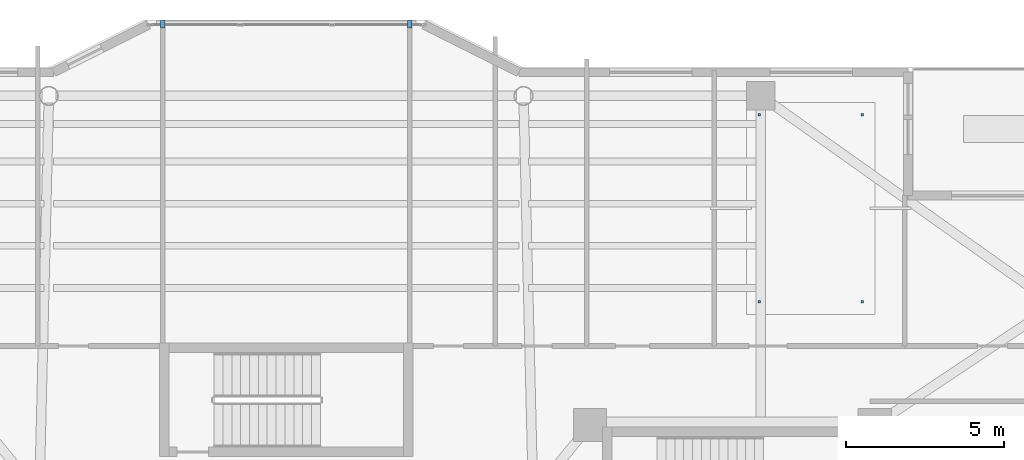
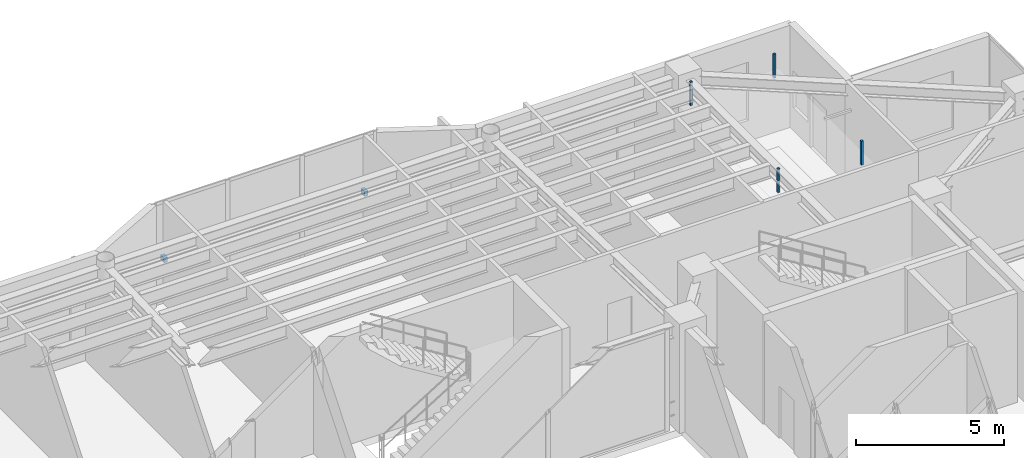
# One storey, part 29 of 33: 6 discrete accessories.
"""IFC4 building model written with IfcOpenShell, lengths in metres."""

from ifc_helpers import new_model, si_unit, direction, frame, origin, origin_2d, place, context, subcontext, project, spatial, rectangle, extrude, material, type_object, element, save


model = new_model("IFC4")

# Units and contexts
model_context = context("Model", 3, precision=1e-05, world=origin(), true_north=direction((0.0, 1.0)))
body_context = subcontext(model_context, "Body", "Model", "MODEL_VIEW")
ifc_project = project(units=[si_unit("LENGTHUNIT", "METRE"), si_unit("AREAUNIT", "SQUARE_METRE"), si_unit("VOLUMEUNIT", "CUBIC_METRE"), si_unit("PLANEANGLEUNIT", "RADIAN"), si_unit("MASSUNIT", "GRAM", prefix="KILO")], contexts=[model_context])

# Site, building, storey
site_placement = place(None, origin())
site = spatial("IfcSite", under=ifc_project, at=site_placement, CompositionType="ELEMENT")
building_placement = place(site_placement, origin())
building = spatial("IfcBuilding", under=site, at=building_placement, Name="Tarnavaz Court Tower", CompositionType="ELEMENT")
storey_placement = place(building_placement, frame((0.0, 0.0, 172.800048828125)))
storey = spatial("IfcBuildingStorey", under=building, at=storey_placement, Name="L47", CompositionType="ELEMENT", Elevation=172.800048828125)

# Discrete accessories
ifc_material = material(Name="Anodised Aluminium 6063-T6", Category="aluminium")
discrete_accessory_type = type_object("IfcDiscreteAccessoryType", Name="DA-BRKT-ALU", PredefinedType="BRACKET", material=ifc_material)
for number, where, z_axis, x_axis, name in (
    (1, (-3.89990234375, 22.669921875, 1.7001953125), (0.0, 0.0, 1.0), (1.0, 0.0, 0.0), "L47 Baguette Outrigger Bracket PBG7-1"),
    (2, (3.89990234375, 22.669921875, 1.7001953125), (0.0, 0.0, 1.0), (1.0, 0.0, 0.0), "L47 Baguette Outrigger Bracket PBG7-2"),
):
    element("IfcDiscreteAccessory", number, at=place(storey_placement, frame(where, z_axis=z_axis, x_axis=x_axis)), inside=storey, type_object=discrete_accessory_type, Name=name, PredefinedType="BRACKET", context=body_context, shape_type="SweptSolid", body=[
        extrude(rectangle(XDim=0.139892578125, YDim=0.239990234375, at=origin_2d()), origin(), (0.0, 0.0, 1.0), 0.199951171875),
    ])
for number, where, z_axis, x_axis, name in (
    (3, (14.949951171875, 13.89990234375, 3.23974609375), (0.0, 0.0, 1.0), (1.0, 0.0, 0.0), "L47 Ceiling Suspension Hanger Bracket 01-1"),
    (4, (18.199951171875, 13.89990234375, 3.23974609375), (0.0, 0.0, 1.0), (1.0, 0.0, 0.0), "L47 Ceiling Suspension Hanger Bracket 01-2"),
    (5, (18.199951171875, 19.800048828125, 3.23974609375), (0.0, 0.0, 1.0), (1.0, 0.0, 0.0), "L47 Ceiling Suspension Hanger Bracket 01-3"),
    (6, (14.949951171875, 19.800048828125, 3.23974609375), (0.0, 0.0, 1.0), (1.0, 0.0, 0.0), "L47 Ceiling Suspension Hanger Bracket 01-4"),
):
    element("IfcDiscreteAccessory", number, at=place(storey_placement, frame(where, z_axis=z_axis, x_axis=x_axis)), inside=storey, type_object=discrete_accessory_type, Name=name, PredefinedType="BRACKET", context=body_context, shape_type="SweptSolid", body=[
        extrude(rectangle(XDim=0.080078125, YDim=0.080078125, at=origin_2d()), origin(), (0.0, 0.0, 1.0), 0.989990234375),
    ])

save(model, "model.ifc")
